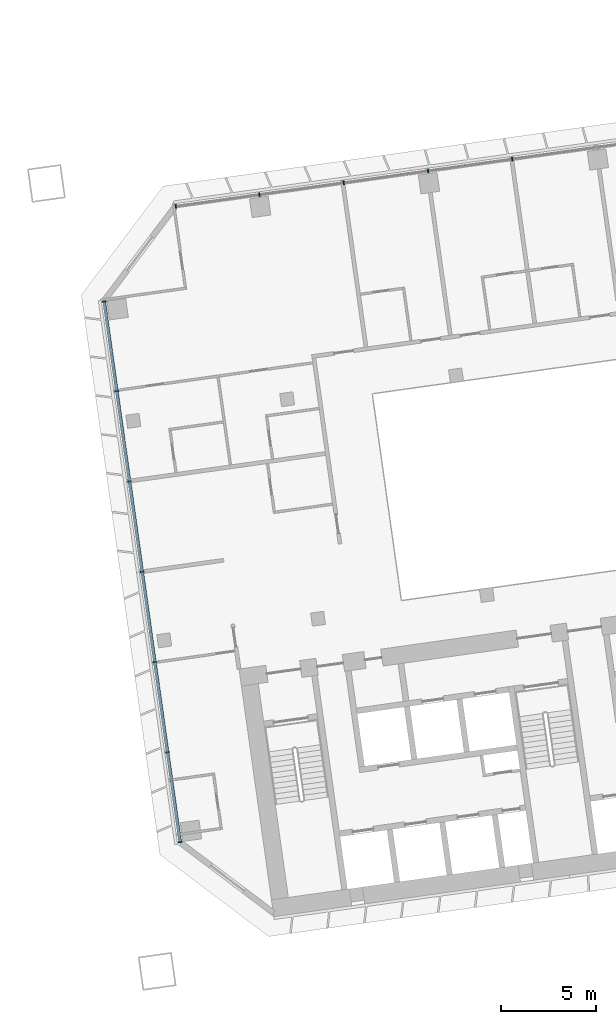
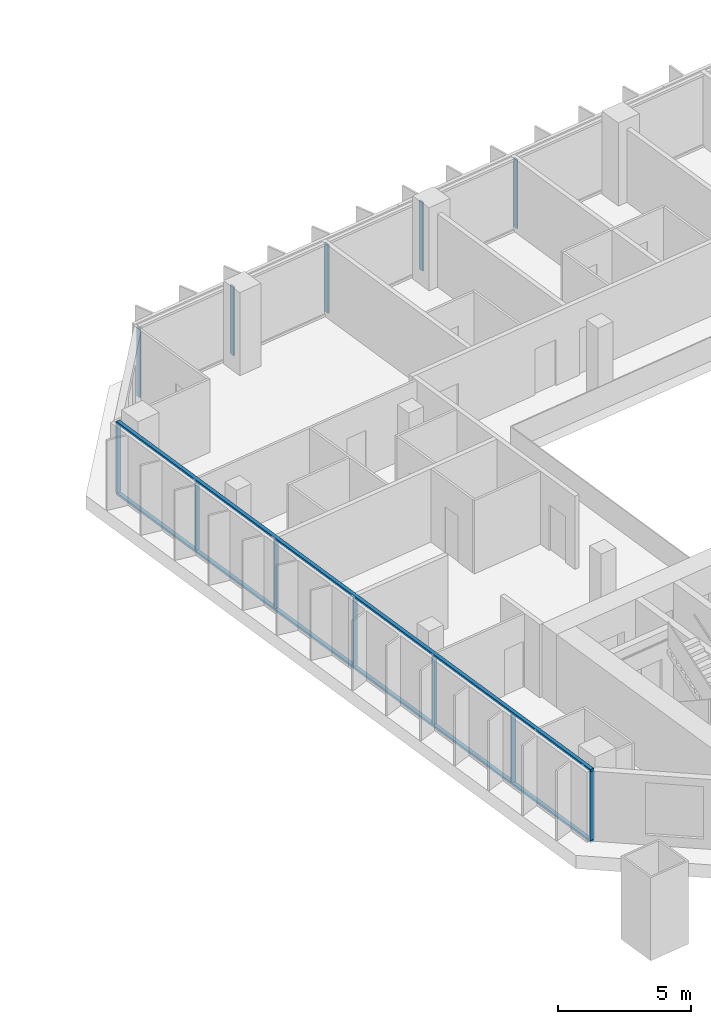
# One storey, part 7 of 24: 14 members, 2 elements without a shape of their own.
"""IFC4 building model written with IfcOpenShell, lengths in metres."""

from ifc_helpers import new_model, si_unit, direction, frame, origin, origin_2d, place, context, subcontext, project, spatial, rectangle, extrude, material, material_profile, profile_set, type_object, element, aggregate, save


model = new_model("IFC4")

# Units and contexts
model_context = context("Model", 3, precision=1e-05, world=origin(), true_north=direction((0.0, 1.0)))
body_context = subcontext(model_context, "Body", "Model", "MODEL_VIEW")
ifc_project = project(units=[si_unit("LENGTHUNIT", "METRE"), si_unit("AREAUNIT", "SQUARE_METRE"), si_unit("VOLUMEUNIT", "CUBIC_METRE"), si_unit("PLANEANGLEUNIT", "RADIAN"), si_unit("MASSUNIT", "GRAM", prefix="KILO")], contexts=[model_context])

# Site, building, storey
site_placement = place(None, origin())
site = spatial("IfcSite", under=ifc_project, at=site_placement, CompositionType="ELEMENT")
building_placement = place(site_placement, origin())
building = spatial("IfcBuilding", under=site, at=building_placement, Name="Mirante Cascada Hotel Towers", CompositionType="ELEMENT")
storey_placement = place(building_placement, frame((0.0, 0.0, 47.1)))
storey = spatial("IfcBuildingStorey", under=building, at=storey_placement, Name="L08", CompositionType="ELEMENT", Elevation=47.1)

# Curtain wall, members
ifc_material_1 = material(Name="Aluminium mullion and transom frame with clear laminated glass", Category="aluminium")
curtain_wall_type_1 = type_object("IfcCurtainWallType", Name="Ribbon curtain wall ECW1", PredefinedType="NOTDEFINED", material=ifc_material_1)
curtain_wall_1_placement = place(storey_placement, origin())
curtain_wall_1 = element("IfcCurtainWall", 1, at=curtain_wall_1_placement, inside=storey, type_object=curtain_wall_type_1, Name="Front ribbon wall T2 L08", PredefinedType="NOTDEFINED")
ifc_material_2 = material(Name="Anodised aluminium extrusion", Category="aluminium")
ifc_material_profile_1 = material_profile(ifc_material_2, rectangle(XDim=0.2, YDim=0.065, at=origin_2d()), Name="ECW1 MULLION 65x200")
ifc_profile_set_1 = profile_set([ifc_material_profile_1], Name="Anodised aluminium extrusion")
member_type_1 = type_object("IfcMemberType", Name="ECW1 mullion 65x200", PredefinedType="MULLION", material=ifc_profile_set_1)
member_1_placement = place(storey_placement, frame((49.684, 19.8017, 0.1), z_axis=(0.0, 0.0, 1.0), x_axis=(0.1391731, -0.9902681, 0.0)))
member_1 = element("IfcMember", 2, at=member_1_placement, type_object=member_type_1, Name="ECW1 mullion 11", PredefinedType="MULLION", context=body_context, shape_type="SweptSolid", body=[
    extrude(rectangle(XDim=0.2, YDim=0.065, at=origin_2d()), origin(), (0.0, 0.0, 1.0), 3.15),
])
member_2_placement = place(storey_placement, frame((45.2366, 19.1766, 0.1), z_axis=(0.0, 0.0, 1.0), x_axis=(0.1391731, -0.9902681, 0.0)))
member_2 = element("IfcMember", 3, at=member_2_placement, type_object=member_type_1, Name="ECW1 mullion 12", PredefinedType="MULLION", context=body_context, shape_type="SweptSolid", body=[
    extrude(rectangle(XDim=0.2, YDim=0.065, at=origin_2d()), origin(), (0.0, 0.0, 1.0), 3.15),
])
member_3_placement = place(storey_placement, frame((40.7892, 18.5516, 0.1), z_axis=(0.0, 0.0, 1.0), x_axis=(0.1391731, -0.9902681, 0.0)))
member_3 = element("IfcMember", 4, at=member_3_placement, type_object=member_type_1, Name="ECW1 mullion 13", PredefinedType="MULLION", context=body_context, shape_type="SweptSolid", body=[
    extrude(rectangle(XDim=0.2, YDim=0.065, at=origin_2d()), origin(), (0.0, 0.0, 1.0), 3.15),
])
member_4_placement = place(storey_placement, frame((36.3417, 17.9265, 0.1), z_axis=(0.0, 0.0, 1.0), x_axis=(0.1391731, -0.9902681, 0.0)))
member_4 = element("IfcMember", 5, at=member_4_placement, type_object=member_type_1, Name="ECW1 mullion 14", PredefinedType="MULLION", context=body_context, shape_type="SweptSolid", body=[
    extrude(rectangle(XDim=0.2, YDim=0.065, at=origin_2d()), origin(), (0.0, 0.0, 1.0), 3.15),
])
member_5_placement = place(storey_placement, frame((31.9265, 17.306, 0.1), z_axis=(0.0, 0.0, 1.0), x_axis=(0.1391731, -0.9902681, 0.0)))
member_5 = element("IfcMember", 6, at=member_5_placement, type_object=member_type_1, Name="ECW1 mullion 15", PredefinedType="MULLION", context=body_context, shape_type="SweptSolid", body=[
    extrude(rectangle(XDim=0.2, YDim=0.065, at=origin_2d()), origin(), (0.0, 0.0, 1.0), 3.15),
])
aggregate(curtain_wall_1, [member_1, member_2, member_3, member_4, member_5])

ifc_material_3 = material(Name="Aluminium mullion and transom frame with clear laminated glass", Category="aluminium")
curtain_wall_type_2 = type_object("IfcCurtainWallType", Name="End ribbon curtain wall ECW2", PredefinedType="NOTDEFINED", material=ifc_material_3)
curtain_wall_2_placement = place(storey_placement, origin())
curtain_wall_2 = element("IfcCurtainWall", 7, at=curtain_wall_2_placement, inside=storey, type_object=curtain_wall_type_2, Name="Inner end wall T2 L08", PredefinedType="NOTDEFINED")
ifc_material_4 = material(Name="Anodised aluminium extrusion", Category="aluminium")
ifc_material_profile_2 = material_profile(ifc_material_4, rectangle(XDim=0.2, YDim=0.065, at=origin_2d()), Name="ECW2 MULLION 65x200")
ifc_profile_set_2 = profile_set([ifc_material_profile_2], Name="Anodised aluminium extrusion")
member_type_2 = type_object("IfcMemberType", Name="ECW2 mullion 65x200", PredefinedType="MULLION", material=ifc_profile_set_2)
member_6_placement = place(storey_placement, frame((28.1437, 12.2861, 0.1), z_axis=(0.0, 0.0, 1.0), x_axis=(0.9902681, 0.1391731, 0.0)))
member_6 = element("IfcMember", 8, at=member_6_placement, type_object=member_type_2, Name="ECW2 mullion 1", PredefinedType="MULLION", context=body_context, shape_type="SweptSolid", body=[
    extrude(rectangle(XDim=0.2, YDim=0.065, at=origin_2d()), origin(), (0.0, 0.0, 1.0), 3.15),
])
member_7_placement = place(storey_placement, frame((28.809, 7.5524, 0.1), z_axis=(0.0, 0.0, 1.0), x_axis=(0.9902681, 0.1391731, 0.0)))
member_7 = element("IfcMember", 9, at=member_7_placement, type_object=member_type_2, Name="ECW2 mullion 2", PredefinedType="MULLION", context=body_context, shape_type="SweptSolid", body=[
    extrude(rectangle(XDim=0.2, YDim=0.065, at=origin_2d()), origin(), (0.0, 0.0, 1.0), 3.15),
])
member_8_placement = place(storey_placement, frame((29.4788, 2.7867, 0.1), z_axis=(0.0, 0.0, 1.0), x_axis=(0.9902681, 0.1391731, 0.0)))
member_8 = element("IfcMember", 10, at=member_8_placement, type_object=member_type_2, Name="ECW2 mullion 3", PredefinedType="MULLION", context=body_context, shape_type="SweptSolid", body=[
    extrude(rectangle(XDim=0.2, YDim=0.065, at=origin_2d()), origin(), (0.0, 0.0, 1.0), 3.15),
])
member_9_placement = place(storey_placement, frame((30.1485, -1.9791, 0.1), z_axis=(0.0, 0.0, 1.0), x_axis=(0.9902681, 0.1391731, 0.0)))
member_9 = element("IfcMember", 11, at=member_9_placement, type_object=member_type_2, Name="ECW2 mullion 4", PredefinedType="MULLION", context=body_context, shape_type="SweptSolid", body=[
    extrude(rectangle(XDim=0.2, YDim=0.065, at=origin_2d()), origin(), (0.0, 0.0, 1.0), 3.15),
])
member_10_placement = place(storey_placement, frame((30.8183, -6.7449, 0.1), z_axis=(0.0, 0.0, 1.0), x_axis=(0.9902681, 0.1391731, 0.0)))
member_10 = element("IfcMember", 12, at=member_10_placement, type_object=member_type_2, Name="ECW2 mullion 5", PredefinedType="MULLION", context=body_context, shape_type="SweptSolid", body=[
    extrude(rectangle(XDim=0.2, YDim=0.065, at=origin_2d()), origin(), (0.0, 0.0, 1.0), 3.15),
])
member_11_placement = place(storey_placement, frame((31.4881, -11.5107, 0.1), z_axis=(0.0, 0.0, 1.0), x_axis=(0.9902681, 0.1391731, 0.0)))
member_11 = element("IfcMember", 13, at=member_11_placement, type_object=member_type_2, Name="ECW2 mullion 6", PredefinedType="MULLION", context=body_context, shape_type="SweptSolid", body=[
    extrude(rectangle(XDim=0.2, YDim=0.065, at=origin_2d()), origin(), (0.0, 0.0, 1.0), 3.15),
])
member_12_placement = place(storey_placement, frame((32.1534, -16.2443, 0.1), z_axis=(0.0, 0.0, 1.0), x_axis=(0.9902681, 0.1391731, 0.0)))
member_12 = element("IfcMember", 14, at=member_12_placement, type_object=member_type_2, Name="ECW2 mullion 7", PredefinedType="MULLION", context=body_context, shape_type="SweptSolid", body=[
    extrude(rectangle(XDim=0.2, YDim=0.065, at=origin_2d()), origin(), (0.0, 0.0, 1.0), 3.15),
])
ifc_material_5 = material(Name="Anodised aluminium extrusion", Category="aluminium")
ifc_material_profile_3 = material_profile(ifc_material_5, rectangle(XDim=0.16, YDim=0.1, at=origin_2d()), Name="ECW2 TRANSOM 100x160")
ifc_profile_set_3 = profile_set([ifc_material_profile_3], Name="Anodised aluminium extrusion")
member_type_3 = type_object("IfcMemberType", Name="ECW2 transom 100x160", PredefinedType="USERDEFINED", material=ifc_profile_set_3)
member_13_placement = place(storey_placement, frame((28.1392, 12.3182, 0.05), z_axis=(0.1391723, -0.9902682, 0.0), x_axis=(0.9902682, 0.1391723, 0.0)))
member_13 = element("IfcMember", 15, at=member_13_placement, type_object=member_type_3, Name="ECW2 sill transom", ObjectType="TRANSOM", PredefinedType="USERDEFINED", context=body_context, shape_type="SweptSolid", body=[
    extrude(rectangle(XDim=0.16, YDim=0.1, at=origin_2d()), origin(), (0.0, 0.0, 1.0), 28.8757),
])
member_14_placement = place(storey_placement, frame((28.1392, 12.3182, 3.3), z_axis=(0.1391723, -0.9902682, 0.0), x_axis=(0.9902682, 0.1391723, 0.0)))
member_14 = element("IfcMember", 16, at=member_14_placement, type_object=member_type_3, Name="ECW2 head transom", ObjectType="TRANSOM", PredefinedType="USERDEFINED", context=body_context, shape_type="SweptSolid", body=[
    extrude(rectangle(XDim=0.16, YDim=0.1, at=origin_2d()), origin(), (0.0, 0.0, 1.0), 28.8757),
])
aggregate(curtain_wall_2, [member_13, member_14, member_6, member_7, member_8, member_9, member_10, member_11, member_12])

save(model, "model.ifc")
